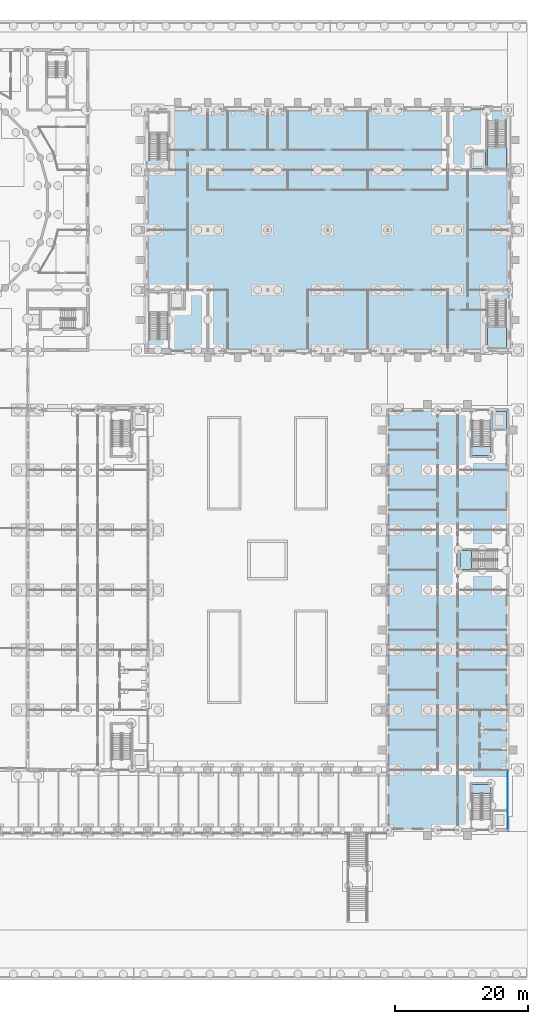
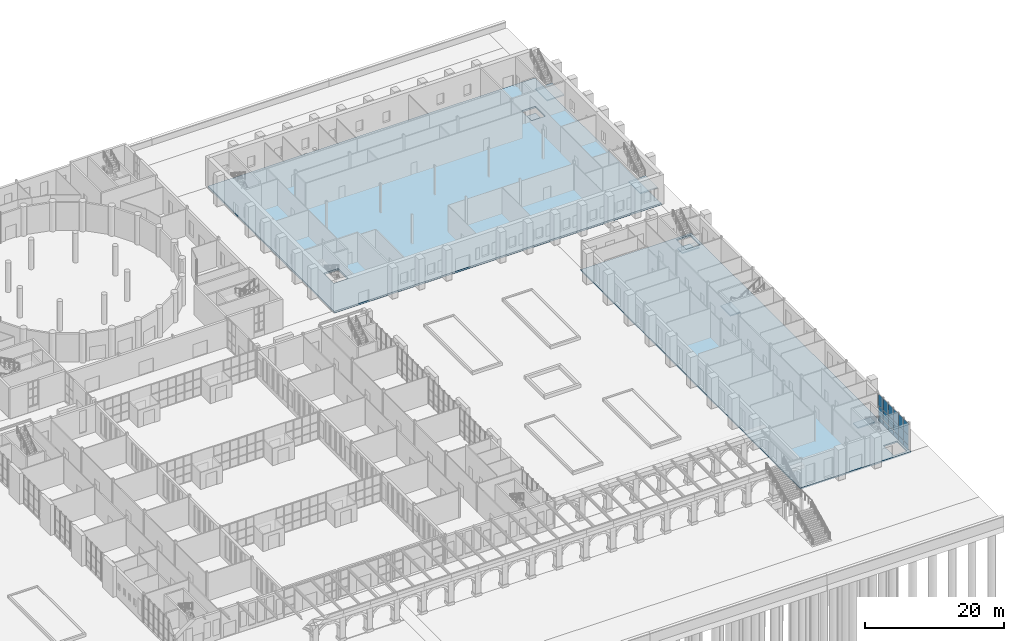
# One storey, part 81 of 168: 18 plates, 9 slabs, 6 elements without a shape of their own.
"""IFC4 building model written with IfcOpenShell, lengths in metres."""

from ifc_helpers import new_model, si_unit, direction, frame, origin, origin_2d, place, context, subcontext, project, spatial, polyline, rectangle, outline, extrude, material, layer, layer_set, type_object, element, aggregate, save


model = new_model("IFC4")

# Units and contexts
model_context = context("Model", 3, precision=1e-05, world=origin(), true_north=direction((0.0, 1.0)))
body_context = subcontext(model_context, "Body", "Model", "MODEL_VIEW")
ifc_project = project(units=[si_unit("LENGTHUNIT", "METRE"), si_unit("AREAUNIT", "SQUARE_METRE"), si_unit("VOLUMEUNIT", "CUBIC_METRE"), si_unit("PLANEANGLEUNIT", "RADIAN"), si_unit("MASSUNIT", "GRAM", prefix="KILO")], contexts=[model_context])

# Site, building, storey
site_placement = place(None, origin())
site = spatial("IfcSite", under=ifc_project, at=site_placement, CompositionType="ELEMENT")
building_placement = place(site_placement, origin())
building = spatial("IfcBuilding", under=site, at=building_placement, Name="Golden Quay Civic Hall", CompositionType="ELEMENT")
storey_placement = place(building_placement, origin())
storey = spatial("IfcBuildingStorey", under=building, at=storey_placement, Name="L00", CompositionType="ELEMENT", Elevation=0.0)

# Stair, slab
ifc_material_1 = material(Name="Concrete C35/45", Category="concrete")
stair_type_1 = type_object("IfcStairType", Name="Concrete stair 1350 wide 30 risers of 180.0", PredefinedType="HALF_TURN_STAIR", material=ifc_material_1)
stair_1_placement = place(storey_placement, origin())
stair_1 = element("IfcStair", 1, at=stair_1_placement, inside=storey, type_object=stair_type_1, Name="L00 Stair EO-S", PredefinedType="HALF_TURN_STAIR")
ifc_material_2 = material(Name="Concrete C35/45", Category="concrete")
ifc_layer_1 = layer(ifc_material_2, 0.199951171875)
ifc_layer_set_1 = layer_set([ifc_layer_1], Name="Concrete stair landing 200, Concrete C35/45")
slab_type_1 = type_object("IfcSlabType", Name="Concrete stair landing 200", PredefinedType="LANDING", material=ifc_layer_set_1)
slab_1_placement = place(storey_placement, frame((0.0, 0.0, 2.5)))
slab_1 = element("IfcSlab", 2, at=slab_1_placement, type_object=slab_type_1, Name="EO-S landing 1", PredefinedType="LANDING", context=body_context, shape_type="SweptSolid", body=[
    extrude(outline(polyline([(168.5, -3.530029296875), (168.5, -2.14990234375), (165.64990234375, -2.14990234375), (165.64990234375, -3.530029296875), (168.5, -3.530029296875)])), origin(), (0.0, 0.0, 1.0), 0.199951171875),
])
aggregate(stair_1, [slab_1])

stair_2_placement = place(storey_placement, origin())
stair_2 = element("IfcStair", 3, at=stair_2_placement, inside=storey, type_object=stair_type_1, Name="L00 Stair EO-N", PredefinedType="HALF_TURN_STAIR")
slab_2_placement = place(storey_placement, frame((0.0, 0.0, 2.5)))
slab_2 = element("IfcSlab", 4, at=slab_2_placement, type_object=slab_type_1, Name="EO-N landing 1", PredefinedType="LANDING", context=body_context, shape_type="SweptSolid", body=[
    extrude(outline(polyline([(165.64990234375, 48.530029296875), (165.64990234375, 47.14990234375), (168.5, 47.14990234375), (168.5, 48.530029296875), (165.64990234375, 48.530029296875)])), origin(), (0.0, 0.0, 1.0), 0.199951171875),
])
aggregate(stair_2, [slab_2])

stair_3_placement = place(storey_placement, origin())
stair_3 = element("IfcStair", 5, at=stair_3_placement, inside=storey, type_object=stair_type_1, Name="L00 Stair EO-M", PredefinedType="HALF_TURN_STAIR")
slab_3_placement = place(storey_placement, frame((0.0, 0.0, 2.5)))
slab_3 = element("IfcSlab", 6, at=slab_3_placement, type_object=slab_type_1, Name="EO-M landing 1", PredefinedType="LANDING", context=body_context, shape_type="SweptSolid", body=[
    extrude(outline(polyline([(165.530029296875, 32.925048828125), (163.824951171875, 32.925048828125), (163.824951171875, 30.074951171875), (165.530029296875, 30.074951171875), (165.530029296875, 32.925048828125)])), origin(), (0.0, 0.0, 1.0), 0.199951171875),
])
aggregate(stair_3, [slab_3])

ifc_material_3 = material(Name="Concrete C40/50", Category="concrete")
stair_type_2 = type_object("IfcStairType", Name="Concrete half-turn stair 30 risers", PredefinedType="HALF_TURN_STAIR", material=ifc_material_3)
stair_4_placement = place(storey_placement, origin())
stair_4 = element("IfcStair", 7, at=stair_4_placement, inside=storey, type_object=stair_type_2, Name="L00 Protected Exit Stair LB-E", PredefinedType="HALF_TURN_STAIR")
slab_4_placement = place(storey_placement, frame((0.0, 0.0, 2.5)))
slab_4 = element("IfcSlab", 8, at=slab_4_placement, type_object=slab_type_1, Name="LB-STE landing 1", PredefinedType="LANDING", context=body_context, shape_type="SweptSolid", body=[
    extrude(outline(polyline([(167.949951171875, 93.530029296875), (167.949951171875, 90.125), (170.800048828125, 90.125), (170.800048828125, 93.530029296875), (167.949951171875, 93.530029296875)])), origin(), (0.0, 0.0, 1.0), 0.199951171875),
])
aggregate(stair_4, [slab_4])

stair_5_placement = place(storey_placement, origin())
stair_5 = element("IfcStair", 9, at=stair_5_placement, inside=storey, type_object=stair_type_2, Name="L00 Protected Exit Stair LB-S", PredefinedType="HALF_TURN_STAIR")
slab_5_placement = place(storey_placement, frame((0.0, 0.0, 2.5)))
slab_5 = element("IfcSlab", 10, at=slab_5_placement, type_object=slab_type_1, Name="LB-STS landing 1", PredefinedType="LANDING", context=body_context, shape_type="SweptSolid", body=[
    extrude(outline(polyline([(167.949951171875, 66.60498046875), (167.949951171875, 63.199951171875), (170.800048828125, 63.199951171875), (170.800048828125, 66.60498046875), (167.949951171875, 66.60498046875)])), origin(), (0.0, 0.0, 1.0), 0.199951171875),
])
aggregate(stair_5, [slab_5])

# Curtain wall, plates
ifc_material_4 = material(Name="Glass, laminated double glazed", Category="glass")
ifc_layer_2 = layer(ifc_material_4, 0.199951171875)
ifc_layer_set_2 = layer_set([ifc_layer_2], Name="Glazed core strip curtain wall")
curtain_wall_type = type_object("IfcCurtainWallType", Name="Glazed core strip curtain wall", PredefinedType="NOTDEFINED", material=ifc_layer_set_2)
curtain_wall_placement = place(storey_placement, origin())
curtain_wall = element("IfcCurtainWall", 11, at=curtain_wall_placement, inside=storey, type_object=curtain_wall_type, Name="Glazed core strip curtain wall L00 13", PredefinedType="NOTDEFINED")
ifc_material_5 = material(Name="Glass, laminated double glazed", Category="glass")
ifc_layer_3 = layer(ifc_material_5, 0.028076171875)
ifc_layer_set_3 = layer_set([ifc_layer_3], Name="Double glazed curtain wall panel 28")
plate_type = type_object("IfcPlateType", Name="Double glazed curtain wall panel 28", PredefinedType="CURTAIN_PANEL", material=ifc_layer_set_3)
plate_1_placement = place(storey_placement, frame((171.0, -0.87744140625, 0.06005859375), z_axis=(0.0, 0.0, 1.0), x_axis=(0.0, -1.0, 0.0)))
plate_1 = element("IfcPlate", 12, at=plate_1_placement, type_object=plate_type, Name="CW2 panel 1.1", PredefinedType="CURTAIN_PANEL", context=body_context, shape_type="SweptSolid", body=[
    extrude(rectangle(XDim=1.364990234375, YDim=0.028076171875, at=origin_2d()), origin(), (0.0, 0.0, 1.0), 0.81005859375),
])
plate_2_placement = place(storey_placement, frame((171.0, -0.87744140625, 0.93017578125), z_axis=(0.0, 0.0, 1.0), x_axis=(0.0, -1.0, 0.0)))
plate_2 = element("IfcPlate", 13, at=plate_2_placement, type_object=plate_type, Name="CW2 panel 1.2", PredefinedType="CURTAIN_PANEL", context=body_context, shape_type="SweptSolid", body=[
    extrude(rectangle(XDim=1.364990234375, YDim=0.028076171875, at=origin_2d()), origin(), (0.0, 0.0, 1.0), 1.739990234375),
])
plate_3_placement = place(storey_placement, frame((171.0, -0.87744140625, 2.72998046875), z_axis=(0.0, 0.0, 1.0), x_axis=(0.0, -1.0, 0.0)))
plate_3 = element("IfcPlate", 14, at=plate_3_placement, type_object=plate_type, Name="CW2 panel 1.3", PredefinedType="CURTAIN_PANEL", context=body_context, shape_type="SweptSolid", body=[
    extrude(rectangle(XDim=1.364990234375, YDim=0.028076171875, at=origin_2d()), origin(), (0.0, 0.0, 1.0), 2.010009765625),
])
plate_4_placement = place(storey_placement, frame((171.0, -2.3173828125, 0.06005859375), z_axis=(0.0, 0.0, 1.0), x_axis=(0.0, -1.0, 0.0)))
plate_4 = element("IfcPlate", 15, at=plate_4_placement, type_object=plate_type, Name="CW2 panel 2.1", PredefinedType="CURTAIN_PANEL", context=body_context, shape_type="SweptSolid", body=[
    extrude(rectangle(XDim=1.39501953125, YDim=0.028076171875, at=origin_2d()), origin(), (0.0, 0.0, 1.0), 0.81005859375),
])
plate_5_placement = place(storey_placement, frame((171.0, -2.3173828125, 0.93017578125), z_axis=(0.0, 0.0, 1.0), x_axis=(0.0, -1.0, 0.0)))
plate_5 = element("IfcPlate", 16, at=plate_5_placement, type_object=plate_type, Name="CW2 panel 2.2", PredefinedType="CURTAIN_PANEL", context=body_context, shape_type="SweptSolid", body=[
    extrude(rectangle(XDim=1.39501953125, YDim=0.028076171875, at=origin_2d()), origin(), (0.0, 0.0, 1.0), 1.739990234375),
])
plate_6_placement = place(storey_placement, frame((171.0, -2.3173828125, 2.72998046875), z_axis=(0.0, 0.0, 1.0), x_axis=(0.0, -1.0, 0.0)))
plate_6 = element("IfcPlate", 17, at=plate_6_placement, type_object=plate_type, Name="CW2 panel 2.3", PredefinedType="CURTAIN_PANEL", context=body_context, shape_type="SweptSolid", body=[
    extrude(rectangle(XDim=1.39501953125, YDim=0.028076171875, at=origin_2d()), origin(), (0.0, 0.0, 1.0), 2.010009765625),
])
plate_7_placement = place(storey_placement, frame((171.0, -3.7724609375, 0.06005859375), z_axis=(0.0, 0.0, 1.0), x_axis=(0.0, -1.0, 0.0)))
plate_7 = element("IfcPlate", 18, at=plate_7_placement, type_object=plate_type, Name="CW2 panel 3.1", PredefinedType="CURTAIN_PANEL", context=body_context, shape_type="SweptSolid", body=[
    extrude(rectangle(XDim=1.39501953125, YDim=0.028076171875, at=origin_2d()), origin(), (0.0, 0.0, 1.0), 0.81005859375),
])
plate_8_placement = place(storey_placement, frame((171.0, -3.7724609375, 0.93017578125), z_axis=(0.0, 0.0, 1.0), x_axis=(0.0, -1.0, 0.0)))
plate_8 = element("IfcPlate", 19, at=plate_8_placement, type_object=plate_type, Name="CW2 panel 3.2", PredefinedType="CURTAIN_PANEL", context=body_context, shape_type="SweptSolid", body=[
    extrude(rectangle(XDim=1.39501953125, YDim=0.028076171875, at=origin_2d()), origin(), (0.0, 0.0, 1.0), 1.739990234375),
])
plate_9_placement = place(storey_placement, frame((171.0, -3.7724609375, 2.72998046875), z_axis=(0.0, 0.0, 1.0), x_axis=(0.0, -1.0, 0.0)))
plate_9 = element("IfcPlate", 20, at=plate_9_placement, type_object=plate_type, Name="CW2 panel 3.3", PredefinedType="CURTAIN_PANEL", context=body_context, shape_type="SweptSolid", body=[
    extrude(rectangle(XDim=1.39501953125, YDim=0.028076171875, at=origin_2d()), origin(), (0.0, 0.0, 1.0), 2.010009765625),
])
plate_10_placement = place(storey_placement, frame((171.0, -5.2275390625, 0.06005859375), z_axis=(0.0, 0.0, 1.0), x_axis=(0.0, -1.0, 0.0)))
plate_10 = element("IfcPlate", 21, at=plate_10_placement, type_object=plate_type, Name="CW2 panel 4.1", PredefinedType="CURTAIN_PANEL", context=body_context, shape_type="SweptSolid", body=[
    extrude(rectangle(XDim=1.39501953125, YDim=0.028076171875, at=origin_2d()), origin(), (0.0, 0.0, 1.0), 0.81005859375),
])
plate_11_placement = place(storey_placement, frame((171.0, -5.2275390625, 0.93017578125), z_axis=(0.0, 0.0, 1.0), x_axis=(0.0, -1.0, 0.0)))
plate_11 = element("IfcPlate", 22, at=plate_11_placement, type_object=plate_type, Name="CW2 panel 4.2", PredefinedType="CURTAIN_PANEL", context=body_context, shape_type="SweptSolid", body=[
    extrude(rectangle(XDim=1.39501953125, YDim=0.028076171875, at=origin_2d()), origin(), (0.0, 0.0, 1.0), 1.739990234375),
])
plate_12_placement = place(storey_placement, frame((171.0, -5.2275390625, 2.72998046875), z_axis=(0.0, 0.0, 1.0), x_axis=(0.0, -1.0, 0.0)))
plate_12 = element("IfcPlate", 23, at=plate_12_placement, type_object=plate_type, Name="CW2 panel 4.3", PredefinedType="CURTAIN_PANEL", context=body_context, shape_type="SweptSolid", body=[
    extrude(rectangle(XDim=1.39501953125, YDim=0.028076171875, at=origin_2d()), origin(), (0.0, 0.0, 1.0), 2.010009765625),
])
plate_13_placement = place(storey_placement, frame((171.0, -6.6826171875, 0.06005859375), z_axis=(0.0, 0.0, 1.0), x_axis=(0.0, -1.0, 0.0)))
plate_13 = element("IfcPlate", 24, at=plate_13_placement, type_object=plate_type, Name="CW2 panel 5.1", PredefinedType="CURTAIN_PANEL", context=body_context, shape_type="SweptSolid", body=[
    extrude(rectangle(XDim=1.39501953125, YDim=0.028076171875, at=origin_2d()), origin(), (0.0, 0.0, 1.0), 0.81005859375),
])
plate_14_placement = place(storey_placement, frame((171.0, -6.6826171875, 0.93017578125), z_axis=(0.0, 0.0, 1.0), x_axis=(0.0, -1.0, 0.0)))
plate_14 = element("IfcPlate", 25, at=plate_14_placement, type_object=plate_type, Name="CW2 panel 5.2", PredefinedType="CURTAIN_PANEL", context=body_context, shape_type="SweptSolid", body=[
    extrude(rectangle(XDim=1.39501953125, YDim=0.028076171875, at=origin_2d()), origin(), (0.0, 0.0, 1.0), 1.739990234375),
])
plate_15_placement = place(storey_placement, frame((171.0, -6.6826171875, 2.72998046875), z_axis=(0.0, 0.0, 1.0), x_axis=(0.0, -1.0, 0.0)))
plate_15 = element("IfcPlate", 26, at=plate_15_placement, type_object=plate_type, Name="CW2 panel 5.3", PredefinedType="CURTAIN_PANEL", context=body_context, shape_type="SweptSolid", body=[
    extrude(rectangle(XDim=1.39501953125, YDim=0.028076171875, at=origin_2d()), origin(), (0.0, 0.0, 1.0), 2.010009765625),
])
plate_16_placement = place(storey_placement, frame((171.0, -8.12255859375, 0.06005859375), z_axis=(0.0, 0.0, 1.0), x_axis=(0.0, -1.0, 0.0)))
plate_16 = element("IfcPlate", 27, at=plate_16_placement, type_object=plate_type, Name="CW2 panel 6.1", PredefinedType="CURTAIN_PANEL", context=body_context, shape_type="SweptSolid", body=[
    extrude(rectangle(XDim=1.364990234375, YDim=0.028076171875, at=origin_2d()), origin(), (0.0, 0.0, 1.0), 0.81005859375),
])
plate_17_placement = place(storey_placement, frame((171.0, -8.12255859375, 0.93017578125), z_axis=(0.0, 0.0, 1.0), x_axis=(0.0, -1.0, 0.0)))
plate_17 = element("IfcPlate", 28, at=plate_17_placement, type_object=plate_type, Name="CW2 panel 6.2", PredefinedType="CURTAIN_PANEL", context=body_context, shape_type="SweptSolid", body=[
    extrude(rectangle(XDim=1.364990234375, YDim=0.028076171875, at=origin_2d()), origin(), (0.0, 0.0, 1.0), 1.739990234375),
])
plate_18_placement = place(storey_placement, frame((171.0, -8.12255859375, 2.72998046875), z_axis=(0.0, 0.0, 1.0), x_axis=(0.0, -1.0, 0.0)))
plate_18 = element("IfcPlate", 29, at=plate_18_placement, type_object=plate_type, Name="CW2 panel 6.3", PredefinedType="CURTAIN_PANEL", context=body_context, shape_type="SweptSolid", body=[
    extrude(rectangle(XDim=1.364990234375, YDim=0.028076171875, at=origin_2d()), origin(), (0.0, 0.0, 1.0), 2.010009765625),
])
aggregate(curtain_wall, [plate_1, plate_2, plate_3, plate_4, plate_5, plate_6, plate_7, plate_8, plate_9, plate_10, plate_11, plate_12, plate_13, plate_14, plate_15, plate_16, plate_17, plate_18])

# Slabs
ifc_material_6 = material(Name="Concrete C35/45", Category="concrete")
ifc_layer_4 = layer(ifc_material_6, 0.25)
ifc_layer_set_4 = layer_set([ifc_layer_4], Name="Ground slab 250")
slab_type_2 = type_object("IfcSlabType", Name="Ground slab 250", PredefinedType="BASESLAB", material=ifc_layer_set_4)
slab_6_placement = place(storey_placement, frame((0.0, 0.0, -0.25)))
element("IfcSlab", 30, at=slab_6_placement, inside=storey, type_object=slab_type_2, Name="EO ground slab", PredefinedType="BASESLAB", context=body_context, shape_type="SweptSolid", body=[
    extrude(outline(polyline([(171.199951171875, 54.199951171875), (171.199951171875, -9.199951171875), (152.800048828125, -9.199951171875), (152.800048828125, 54.199951171875), (171.199951171875, 54.199951171875)]), holes=[polyline([(170.800048828125, -5.949951171875), (168.75, -5.949951171875), (168.5, -5.949951171875), (168.5, -8.800048828125), (168.75, -8.800048828125), (170.800048828125, -8.800048828125), (170.800048828125, -6.199951171875), (170.800048828125, -5.949951171875)]), polyline([(170.800048828125, 51.199951171875), (170.800048828125, 53.800048828125), (168.75, 53.800048828125), (168.5, 53.800048828125), (168.5, 50.949951171875), (168.75, 50.949951171875), (170.800048828125, 50.949951171875), (170.800048828125, 51.199951171875)])]), origin(), (0.0, 0.0, 1.0), 0.25),
])
ifc_material_7 = material(Name="Concrete C35/45", Category="concrete")
ifc_layer_5 = layer(ifc_material_7, 0.300048828125)
ifc_layer_set_5 = layer_set([ifc_layer_5], Name="Ground slab 300")
slab_type_3 = type_object("IfcSlabType", Name="Ground slab 300", PredefinedType="BASESLAB", material=ifc_layer_set_5)
slab_7_placement = place(storey_placement, frame((0.0, 0.0, -0.300048828125)))
element("IfcSlab", 31, at=slab_7_placement, inside=storey, type_object=slab_type_3, Name="L00 ground slab", PredefinedType="BASESLAB", context=body_context, shape_type="SweptSolid", body=[
    extrude(outline(polyline([(116.800048828125, 62.800048828125), (171.199951171875, 62.800048828125), (171.199951171875, 99.199951171875), (116.800048828125, 99.199951171875), (116.800048828125, 62.800048828125)]), holes=[polyline([(120.300048828125, 69.02490234375), (122.64990234375, 69.02490234375), (122.64990234375, 71.875), (120.300048828125, 71.875), (120.300048828125, 69.02490234375)]), polyline([(167.699951171875, 92.97509765625), (165.35009765625, 92.97509765625), (165.35009765625, 90.125), (167.699951171875, 90.125), (167.699951171875, 92.97509765625)])]), origin(), (0.0, 0.0, 1.0), 0.300048828125),
])
slab_8_placement = place(storey_placement, frame((0.0, 0.0, -1.5)))
element("IfcSlab", 32, at=slab_8_placement, inside=storey, type_object=slab_type_3, Name="L00 lift pit slab E", PredefinedType="BASESLAB", context=body_context, shape_type="SweptSolid", body=[
    extrude(outline(polyline([(167.699951171875, 92.97509765625), (165.35009765625, 92.97509765625), (165.35009765625, 90.125), (167.699951171875, 90.125), (167.699951171875, 92.97509765625)])), origin(), (0.0, 0.0, 1.0), 0.300048828125),
])
ifc_material_8 = material(Name="Concrete C40/50", Category="concrete")
ifc_layer_6 = layer(ifc_material_8, 0.300048828125)
ifc_layer_set_6 = layer_set([ifc_layer_6], Name="Lift pit slab 300")
slab_type_4 = type_object("IfcSlabType", Name="Lift pit slab 300", PredefinedType="BASESLAB", material=ifc_layer_set_6)
slab_9_placement = place(storey_placement, frame((0.0, 0.0, -1.800048828125)))
element("IfcSlab", 33, at=slab_9_placement, inside=storey, type_object=slab_type_4, Name="Lift pit slab EO-N", PredefinedType="BASESLAB", context=body_context, shape_type="SweptSolid", body=[
    extrude(outline(polyline([(170.800048828125, 50.949951171875), (168.75, 50.949951171875), (168.5, 50.949951171875), (168.5, 53.800048828125), (168.75, 53.800048828125), (170.800048828125, 53.800048828125), (170.800048828125, 51.199951171875), (170.800048828125, 50.949951171875)])), origin(), (0.0, 0.0, 1.0), 0.300048828125),
])

save(model, "model.ifc")
